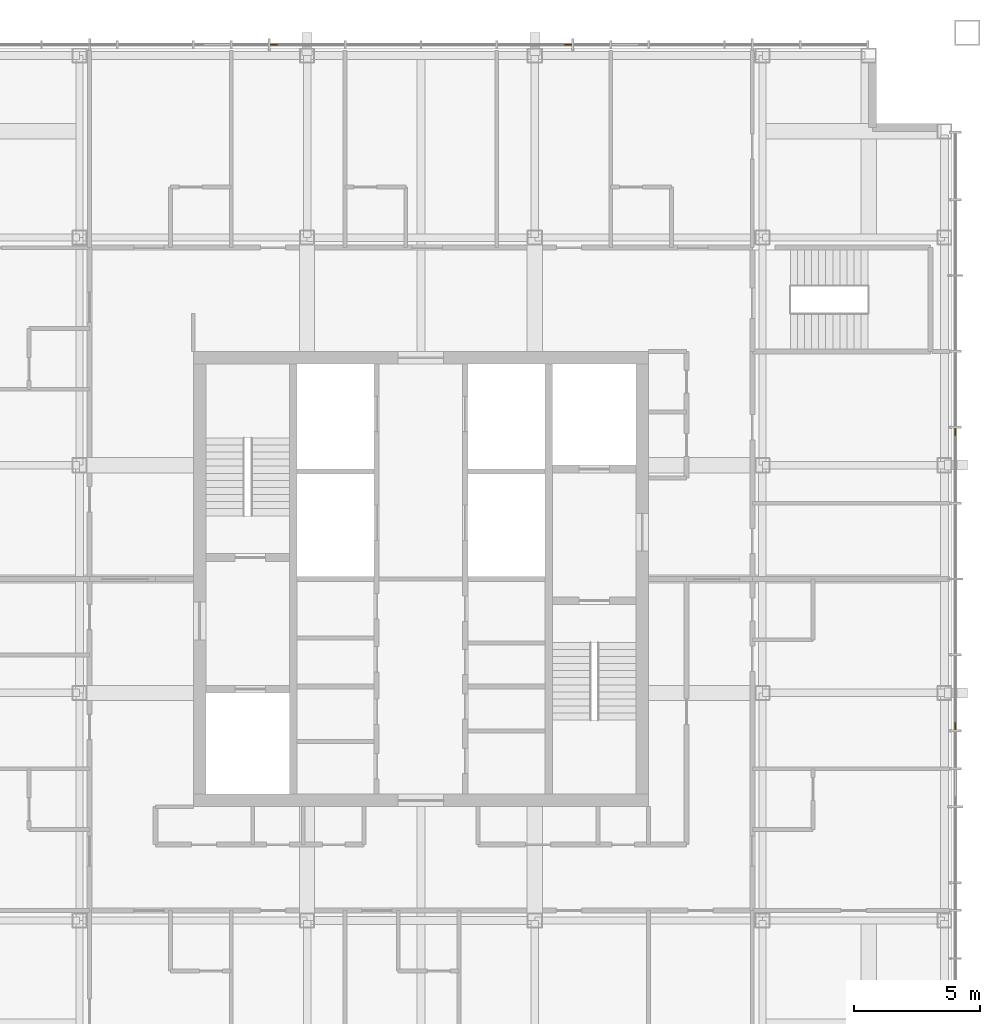
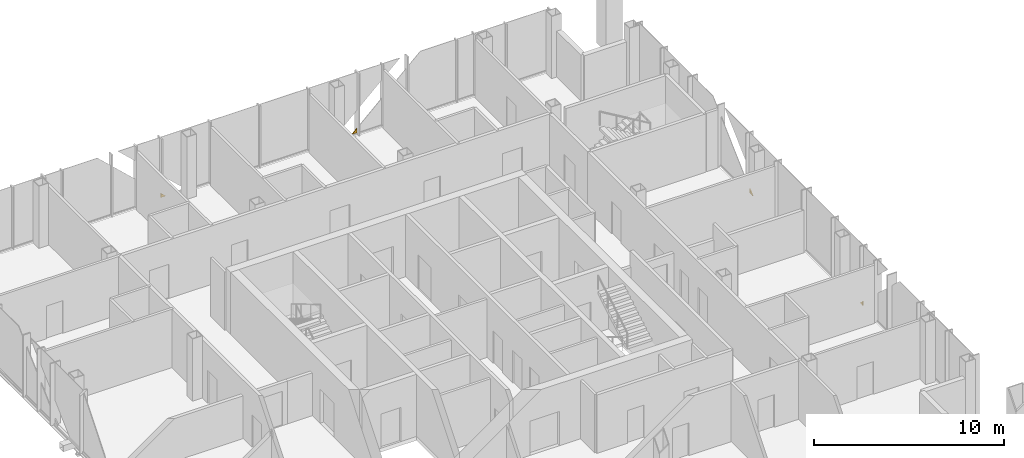
# One storey, part 13 of 13: 4 coverings.
"""IFC4 building model written with IfcOpenShell, lengths in metres."""

from ifc_helpers import new_model, si_unit, direction, frame, origin, place, context, subcontext, project, spatial, polyline, outline, extrude, material, layer, layer_set, type_object, element, save


model = new_model("IFC4")

# Units and contexts
model_context = context("Model", 3, precision=1e-05, world=origin(), true_north=direction((0.0, 1.0)))
body_context = subcontext(model_context, "Body", "Model", "MODEL_VIEW")
ifc_project = project(units=[si_unit("LENGTHUNIT", "METRE"), si_unit("AREAUNIT", "SQUARE_METRE"), si_unit("VOLUMEUNIT", "CUBIC_METRE"), si_unit("PLANEANGLEUNIT", "RADIAN"), si_unit("MASSUNIT", "GRAM", prefix="KILO")], contexts=[model_context])

# Site, building, storey
site_placement = place(None, origin())
site = spatial("IfcSite", under=ifc_project, at=site_placement, CompositionType="ELEMENT")
building_placement = place(site_placement, origin())
building = spatial("IfcBuilding", under=site, at=building_placement, Name="Malebo Sky Hospital", CompositionType="ELEMENT")
storey_placement = place(building_placement, frame((0.0, 0.0, 274.0)))
storey = spatial("IfcBuildingStorey", under=building, at=storey_placement, Name="L66", CompositionType="ELEMENT", Elevation=274.0)

# Coverings
ifc_material = material(Name="Anodised aluminium, natural silver insulated infill panel", Category="aluminium")
ifc_layer = layer(ifc_material, 0.0400390625)
ifc_layer_set = layer_set([ifc_layer], Name="BRACE INFILL PANEL 40")
covering_type = type_object("IfcCoveringType", Name="BRACE INFILL PANEL 40", PredefinedType="CLADDING", material=ifc_layer_set)
covering_1_placement = place(storey_placement, frame((54.184326171875, 83.125, 0.10009765625), z_axis=(0.0, 0.0, 1.0), x_axis=(1.0, 0.0, 0.0)))
element("IfcCovering", 1, at=covering_1_placement, inside=storey, type_object=covering_type, Name="Brace infill panel 7.1", PredefinedType="CLADDING", context=body_context, shape_type="SweptSolid", body=[
    extrude(outline(polyline([(-0.14697265625, 0.0), (0.146728515625, 0.0), (-0.14697265625, 0.27490234375), (-0.14697265625, 0.0)])), frame((0.0, 0.02001953125, 0.0), z_axis=(0.0, -1.0, 0.0), x_axis=(1.0, 0.0, 0.0)), (0.0, 0.0, 1.0), 0.0400390625),
])
covering_2_placement = place(storey_placement, frame((65.815673828125, 83.125, 0.10009765625), z_axis=(0.0, 0.0, 1.0), x_axis=(1.0, 0.0, 0.0)))
element("IfcCovering", 2, at=covering_2_placement, inside=storey, type_object=covering_type, Name="Brace infill panel 10.1", PredefinedType="CLADDING", context=body_context, shape_type="SweptSolid", body=[
    extrude(outline(polyline([(-0.146728515625, 0.0), (0.14697265625, 0.0), (0.14697265625, 0.27490234375), (-0.146728515625, 0.0)])), frame((0.0, 0.02001953125, 0.0), z_axis=(0.0, -1.0, 0.0), x_axis=(1.0, 0.0, 0.0)), (0.0, 0.0, 1.0), 0.0400390625),
])
covering_3_placement = place(storey_placement, frame((81.125, 67.815673828125, 0.10009765625), z_axis=(0.0, 0.0, 1.0), x_axis=(0.0, -1.0, 0.0)))
element("IfcCovering", 3, at=covering_3_placement, inside=storey, type_object=covering_type, Name="Brace infill panel 5.1", PredefinedType="CLADDING", context=body_context, shape_type="SweptSolid", body=[
    extrude(outline(polyline([(-0.14697265625, 0.0), (0.146728515625, 0.0), (-0.14697265625, 0.27490234375), (-0.14697265625, 0.0)])), frame((0.0, 0.02001953125, 0.0), z_axis=(0.0, -1.0, 0.0), x_axis=(1.0, 0.0, 0.0)), (0.0, 0.0, 1.0), 0.0400390625),
])
covering_4_placement = place(storey_placement, frame((81.125, 56.184326171875, 0.10009765625), z_axis=(0.0, 0.0, 1.0), x_axis=(0.0, -1.0, 0.0)))
element("IfcCovering", 4, at=covering_4_placement, inside=storey, type_object=covering_type, Name="Brace infill panel 8.1", PredefinedType="CLADDING", context=body_context, shape_type="SweptSolid", body=[
    extrude(outline(polyline([(-0.146728515625, 0.0), (0.14697265625, 0.0), (0.14697265625, 0.27490234375), (-0.146728515625, 0.0)])), frame((0.0, 0.02001953125, 0.0), z_axis=(0.0, -1.0, 0.0), x_axis=(1.0, 0.0, 0.0)), (0.0, 0.0, 1.0), 0.0400390625),
])

save(model, "model.ifc")
